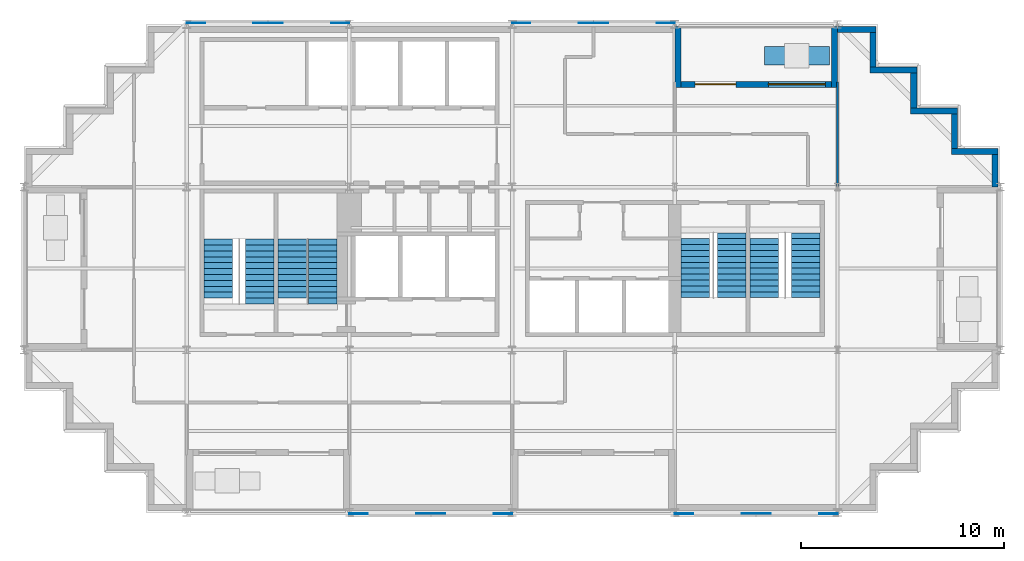
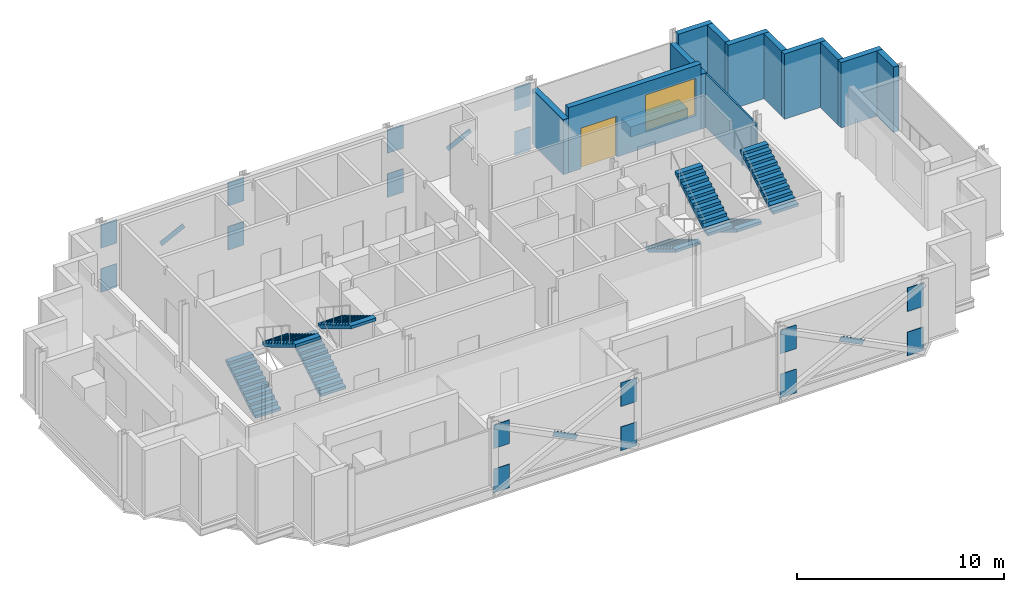
# One storey, part 7 of 9: 20 discrete accessories, 13 walls, 8 stair flights, 1 door, 1 window, 2 openings, 4 elements without a shape of their own.
"""IFC4 building model written with IfcOpenShell, lengths in metres."""

import ifcopenshell
import ifcopenshell.guid

model = None  # the IFC model being written
_history = None  # IfcOwnerHistory: only IFC2X3 demands one
_inside = {}  # id of a spatial element -> (the spatial element, [elements in it])
_under = {}  # id of a project, library or spatial element -> (it, [spatial elements below it])
_declared = {}  # id of a project -> (the project, [libraries it declares])
_typed = {}  # id of a type object -> (the type object, [elements of that type])
_made_of = {}  # id of a material, layer set ... -> (it, [elements and type objects made of it])


def new_model(schema):
    """Start an empty IFC model of exactly this schema.

    Asked for "IFC4X3", IfcOpenShell would pick the latest addendum, in which some entities
    have other attributes; the version numbers below select the first issue.
    IFC2X3 requires an IfcOwnerHistory on every rooted entity: one is made here for all.
    """
    global model, _history
    if schema == "IFC4X3":
        model = ifcopenshell.file(schema_version=(4, 3, 0, 0))
    else:
        model = ifcopenshell.file(schema=schema)
    _inside.clear()
    _under.clear()
    _declared.clear()
    _typed.clear()
    _made_of.clear()
    _history = None
    if model.schema == "IFC2X3":
        org = make("IfcOrganization", Name="unknown")
        user = make(
            "IfcPersonAndOrganization",
            ThePerson=make("IfcPerson", FamilyName="unknown"),
            TheOrganization=org,
        )
        app = make(
            "IfcApplication",
            ApplicationDeveloper=org,
            Version="unknown",
            ApplicationFullName="unknown",
            ApplicationIdentifier="unknown",
        )
        _history = make(
            "IfcOwnerHistory",
            OwningUser=user,
            OwningApplication=app,
            ChangeAction="ADDED",
            CreationDate=0,
        )
    return model


def make(cls, **values):
    """One entity of the class cls with the attributes given. An attribute that is None is left unset."""
    return model.create_entity(
        cls, **{name: value for name, value in values.items() if value is not None}
    )


def rooted(cls, **values):
    """An entity with a GlobalId (a new one), such as an element, a storey or a relation."""
    return make(cls, GlobalId=ifcopenshell.guid.new(), OwnerHistory=_history, **values)


def si_unit(unit_type, name, prefix=None):
    """IfcSIUnit, for example si_unit("LENGTHUNIT", "METRE", prefix="MILLI")."""
    return make("IfcSIUnit", UnitType=unit_type, Prefix=prefix, Name=name)


def assignment(units):
    """IfcUnitAssignment: the units of a project."""
    return None if units is None else make("IfcUnitAssignment", Units=units)


def point(xyz):
    """IfcCartesianPoint."""
    return None if xyz is None else make("IfcCartesianPoint", Coordinates=xyz)


def direction(xyz):
    """IfcDirection."""
    return None if xyz is None else make("IfcDirection", DirectionRatios=xyz)


def frame(location, z_axis=None, x_axis=None):
    """IfcAxis2Placement3D, a coordinate frame: its origin and axes. An axis left out is left unset."""
    return make(
        "IfcAxis2Placement3D",
        Location=point(location),
        Axis=direction(z_axis),
        RefDirection=direction(x_axis),
    )


def frame_2d(location, x_axis=None):
    """IfcAxis2Placement2D, a coordinate frame in the plane: its origin and x axis."""
    return make(
        "IfcAxis2Placement2D", Location=point(location), RefDirection=direction(x_axis)
    )


def origin():
    """The frame at (0, 0, 0) with its axes left unset."""
    return frame((0.0, 0.0, 0.0))


def origin_2d():
    """The frame at (0, 0) in the plane with its x axis left unset."""
    return frame_2d((0.0, 0.0))


def place(relative_to, where):
    """IfcLocalPlacement: puts the frame where relative to a parent placement (None: the world)."""
    return make(
        "IfcLocalPlacement", PlacementRelTo=relative_to, RelativePlacement=where
    )


def context(
    kind, dimensions, precision=None, world=None, true_north=None, identifier=None
):
    """IfcGeometricRepresentationContext, for example the 3D "Model" context."""
    return make(
        "IfcGeometricRepresentationContext",
        ContextIdentifier=identifier,
        ContextType=kind,
        CoordinateSpaceDimension=dimensions,
        Precision=precision,
        WorldCoordinateSystem=world,
        TrueNorth=true_north,
    )


def subcontext(parent, identifier, kind, view, scale=None):
    """IfcGeometricRepresentationSubContext, for example "Body" below "Model"."""
    return make(
        "IfcGeometricRepresentationSubContext",
        ContextIdentifier=identifier,
        ContextType=kind,
        ParentContext=parent,
        TargetScale=scale,
        TargetView=view,
    )


def project(units=None, contexts=None):
    """IfcProject with its units and contexts."""
    return rooted(
        "IfcProject",
        Name="project",
        RepresentationContexts=contexts,
        UnitsInContext=assignment(units),
    )


def spatial(cls, under=None, at=None, **own):
    """A site, building, storey or space (cls), placed at a placement, below another one or the project."""
    s = rooted(cls, ObjectPlacement=at, **own)
    if under is not None:
        _under.setdefault(under.id(), (under, []))[1].append(s)
    return s


def polyline(points):
    """IfcPolyline through the points."""
    return make("IfcPolyline", Points=[point(p) for p in points])


def profile(cls, at=None, kind="AREA", **sizes):
    """A parametric profile (cls). Its sizes go by their IFC names, for example OverallWidth=200.0."""
    return make(cls, ProfileType=kind, Position=at, **sizes)


def rectangle(**sizes):
    """IfcRectangleProfileDef."""
    return profile("IfcRectangleProfileDef", **sizes)


def outline(outer, holes=None, kind="AREA"):
    """IfcArbitraryClosedProfileDef: a profile drawn as a closed curve; with holes, ...WithVoids."""
    if holes is None:
        return make("IfcArbitraryClosedProfileDef", ProfileType=kind, OuterCurve=outer)
    return make(
        "IfcArbitraryProfileDefWithVoids",
        ProfileType=kind,
        OuterCurve=outer,
        InnerCurves=holes,
    )


def extrude(swept, where, along, depth):
    """IfcExtrudedAreaSolid: the profile swept, set in the frame where, extruded along a direction by depth."""
    return make(
        "IfcExtrudedAreaSolid",
        SweptArea=swept,
        Position=where,
        ExtrudedDirection=direction(along),
        Depth=depth,
    )


def shape(context_of_items, identifier, shape_type, items):
    """IfcShapeRepresentation: the items that make up one representation, for example the "Body"."""
    return make(
        "IfcShapeRepresentation",
        ContextOfItems=context_of_items,
        RepresentationIdentifier=identifier,
        RepresentationType=shape_type,
        Items=items,
    )


def material(Name=None, Category=None):
    """IfcMaterial."""
    return make("IfcMaterial", Name=Name, Category=Category)


def layer(
    of_material, thickness, ventilated=None, Name=None, Category=None, Priority=None
):
    """IfcMaterialLayer: one layer of a wall or slab, of a material (None: an air gap)."""
    return make(
        "IfcMaterialLayer",
        Material=of_material,
        LayerThickness=thickness,
        IsVentilated=ventilated,
        Name=Name,
        Category=Category,
        Priority=Priority,
    )


def layer_set(layers, Name=None):
    """IfcMaterialLayerSet."""
    return make("IfcMaterialLayerSet", MaterialLayers=layers, LayerSetName=Name)


def material_profile(
    of_material, cross_section, Name=None, Category=None, Priority=None
):
    """IfcMaterialProfile: a cross section and its material."""
    return make(
        "IfcMaterialProfile",
        Name=Name,
        Material=of_material,
        Profile=cross_section,
        Priority=Priority,
        Category=Category,
    )


def profile_set(profiles, Name=None, composite=None):
    """IfcMaterialProfileSet."""
    return make(
        "IfcMaterialProfileSet",
        Name=Name,
        MaterialProfiles=profiles,
        CompositeProfile=composite,
    )


def made_of(thing, what):
    """Note that an element or type object is made of a material, layer set ...; save() writes the relation."""
    if what is not None:
        _made_of.setdefault(what.id(), (what, []))[1].append(thing)
    return thing


def type_object(cls, material=None, **own):
    """A type object (cls), such as IfcWallType, which elements share."""
    return made_of(rooted(cls, **own), material)


def element(
    cls,
    number,
    at=None,
    inside=None,
    cuts=None,
    type_object=None,
    material=None,
    context=None,
    identifier="Body",
    shape_type=None,
    held_by="IfcProductDefinitionShape",
    body=None,
    shapes=None,
    **own,
):
    """One element of the class cls, such as IfcWall. Its Tag is "e" and its number.

    at: its placement. inside: the storey or other place that contains it. cuts: it is an
    opening in that element (IfcRelVoidsElement). A single representation is given by context,
    identifier, shape_type and body (its items); several are given by shapes. held_by: the class
    of the entity that holds the representations. save() writes the other relations.
    """
    e = rooted(cls, Tag="e%d" % number, ObjectPlacement=at, **own)
    if body is not None:
        shapes = [shape(context, identifier, shape_type, body)]
    if shapes is not None:
        e.Representation = make(held_by, Representations=shapes)
    if inside is not None:
        _inside.setdefault(inside.id(), (inside, []))[1].append(e)
    if cuts is not None:
        rooted(
            "IfcRelVoidsElement", RelatingBuildingElement=cuts, RelatedOpeningElement=e
        )
    if type_object is not None:
        _typed.setdefault(type_object.id(), (type_object, []))[1].append(e)
    return made_of(e, material)


def fill(opening, filler):
    """IfcRelFillsElement: the door or window that sits in an opening."""
    return rooted(
        "IfcRelFillsElement",
        RelatingOpeningElement=opening,
        RelatedBuildingElement=filler,
    )


def aggregate(whole, parts):
    """IfcRelAggregates: a whole, such as a stair, and the parts it consists of."""
    return rooted("IfcRelAggregates", RelatingObject=whole, RelatedObjects=parts)


def save(model, path):
    """Write the relations noted so far, then the file.

    IfcRelAggregates (storeys below a building ...), IfcRelContainedInSpatialStructure (elements
    in a storey), IfcRelDefinesByType, IfcRelAssociatesMaterial and IfcRelDeclares: one each for
    every whole, place, type object, material and project.
    """
    for whole, parts in _under.values():
        aggregate(whole, parts)
    for where, things in _inside.values():
        rooted(
            "IfcRelContainedInSpatialStructure",
            RelatedElements=things,
            RelatingStructure=where,
        )
    for kind, things in _typed.values():
        rooted("IfcRelDefinesByType", RelatedObjects=things, RelatingType=kind)
    for what, things in _made_of.values():
        rooted("IfcRelAssociatesMaterial", RelatedObjects=things, RelatingMaterial=what)
    for by, libraries in _declared.values():
        rooted("IfcRelDeclares", RelatingContext=by, RelatedDefinitions=libraries)
    model.write(path)


model = new_model("IFC4")

# Units and contexts
model_context = context("Model", 3, precision=1e-05, world=origin(), true_north=direction((0.0, 1.0)))
body_context = subcontext(model_context, "Body", "Model", "MODEL_VIEW")
ifc_project = project(units=[si_unit("LENGTHUNIT", "METRE"), si_unit("AREAUNIT", "SQUARE_METRE"), si_unit("VOLUMEUNIT", "CUBIC_METRE"), si_unit("PLANEANGLEUNIT", "RADIAN"), si_unit("MASSUNIT", "GRAM", prefix="KILO")], contexts=[model_context])

# Site, building, storey
site_placement = place(None, origin())
site = spatial("IfcSite", under=ifc_project, at=site_placement, CompositionType="ELEMENT")
building_placement = place(site_placement, origin())
building = spatial("IfcBuilding", under=site, at=building_placement, Name="Immortelle Media Tower", CompositionType="ELEMENT")
storey_placement = place(building_placement, frame((0.0, 0.0, 271.0)))
storey = spatial("IfcBuildingStorey", under=building, at=storey_placement, Name="L59", CompositionType="ELEMENT", Elevation=271.0)

# Walls
ifc_material_1 = material(Name="Pale aluminium cladding panel", Category="aluminium")
ifc_layer_1 = layer(ifc_material_1, 0.030029296875)
ifc_material_2 = material(Name="Steel ASTM A653 SS Gr 50 stud frame with mineral wool", Category="steel")
ifc_layer_2 = layer(ifc_material_2, 0.257568359375)
ifc_material_3 = material(Name="Moisture-resistant gypsum board", Category="gypsum")
ifc_layer_3 = layer(ifc_material_3, 0.012451171875)
ifc_layer_set_1 = layer_set([ifc_layer_1, ifc_layer_2, ifc_layer_3], Name="Steel ASTM A653 SS Gr 50 stud frame with mineral wool")
wall_type_1 = type_object("IfcWallType", Name="Facade wall 300", PredefinedType="SOLIDWALL", material=ifc_layer_set_1)
wall_1_placement = place(storey_placement, frame((47.75, 16.0, 0.0), z_axis=(0.0, 0.0, 1.0), x_axis=(0.0, 1.0, 0.0)))
element("IfcWall", 1, at=wall_1_placement, inside=storey, type_object=wall_type_1, Name="Facade wall L59 E13", PredefinedType="SOLIDWALL", context=body_context, shape_type="SweptSolid", body=[
    extrude(rectangle(XDim=1.60009765625, YDim=0.300048828125, at=frame_2d((0.800048828125, 0.0))), origin(), (0.0, 0.0, 1.0), 3.85009765625),
])
wall_2_placement = place(storey_placement, frame((47.89990234375, 17.75, 0.0), z_axis=(0.0, 0.0, 1.0), x_axis=(-1.0, 0.0, 0.0)))
element("IfcWall", 2, at=wall_2_placement, inside=storey, type_object=wall_type_1, Name="Facade wall L59 N14", PredefinedType="SOLIDWALL", context=body_context, shape_type="SweptSolid", body=[
    extrude(rectangle(XDim=2.2998046875, YDim=0.300048828125, at=frame_2d((1.14990234375, 0.0))), origin(), (0.0, 0.0, 1.0), 3.85009765625),
])
wall_3_placement = place(storey_placement, frame((45.75, 17.89990234375, 0.0), z_axis=(0.0, 0.0, 1.0), x_axis=(0.0, 1.0, 0.0)))
element("IfcWall", 3, at=wall_3_placement, inside=storey, type_object=wall_type_1, Name="Facade wall L59 E15", PredefinedType="SOLIDWALL", context=body_context, shape_type="SweptSolid", body=[
    extrude(rectangle(XDim=1.7001953125, YDim=0.300048828125, at=frame_2d((0.85009765625, 0.0))), origin(), (0.0, 0.0, 1.0), 3.85009765625),
])
wall_4_placement = place(storey_placement, frame((45.89990234375, 19.75, 0.0), z_axis=(0.0, 0.0, 1.0), x_axis=(-1.0, 0.0, 0.0)))
element("IfcWall", 4, at=wall_4_placement, inside=storey, type_object=wall_type_1, Name="Facade wall L59 N16", PredefinedType="SOLIDWALL", context=body_context, shape_type="SweptSolid", body=[
    extrude(rectangle(XDim=2.2998046875, YDim=0.300048828125, at=frame_2d((1.14990234375, 0.0))), origin(), (0.0, 0.0, 1.0), 3.85009765625),
])
wall_5_placement = place(storey_placement, frame((43.75, 19.89990234375, 0.0), z_axis=(0.0, 0.0, 1.0), x_axis=(0.0, 1.0, 0.0)))
element("IfcWall", 5, at=wall_5_placement, inside=storey, type_object=wall_type_1, Name="Facade wall L59 E17", PredefinedType="SOLIDWALL", context=body_context, shape_type="SweptSolid", body=[
    extrude(rectangle(XDim=1.7001953125, YDim=0.300048828125, at=frame_2d((0.85009765625, 0.0))), origin(), (0.0, 0.0, 1.0), 3.85009765625),
])
wall_6_placement = place(storey_placement, frame((43.89990234375, 21.75, 0.0), z_axis=(0.0, 0.0, 1.0), x_axis=(-1.0, 0.0, 0.0)))
element("IfcWall", 6, at=wall_6_placement, inside=storey, type_object=wall_type_1, Name="Facade wall L59 N18", PredefinedType="SOLIDWALL", context=body_context, shape_type="SweptSolid", body=[
    extrude(rectangle(XDim=2.2998046875, YDim=0.300048828125, at=frame_2d((1.14990234375, 0.0))), origin(), (0.0, 0.0, 1.0), 3.85009765625),
])
wall_7_placement = place(storey_placement, frame((41.75, 21.89990234375, 0.0), z_axis=(0.0, 0.0, 1.0), x_axis=(0.0, 1.0, 0.0)))
element("IfcWall", 7, at=wall_7_placement, inside=storey, type_object=wall_type_1, Name="Facade wall L59 E19", PredefinedType="SOLIDWALL", context=body_context, shape_type="SweptSolid", body=[
    extrude(rectangle(XDim=1.7001953125, YDim=0.300048828125, at=frame_2d((0.85009765625, 0.0))), origin(), (0.0, 0.0, 1.0), 3.85009765625),
])
wall_8_placement = place(storey_placement, frame((41.89990234375, 23.75, 0.0), z_axis=(0.0, 0.0, 1.0), x_axis=(-1.0, 0.0, 0.0)))
element("IfcWall", 8, at=wall_8_placement, inside=storey, type_object=wall_type_1, Name="Facade wall L59 N20", PredefinedType="SOLIDWALL", context=body_context, shape_type="SweptSolid", body=[
    extrude(rectangle(XDim=1.89990234375, YDim=0.300048828125, at=frame_2d((0.949951171875, 0.0))), origin(), (0.0, 0.0, 1.0), 3.85009765625),
])

# Wall, openings, door, window
wall_9_placement = place(storey_placement, frame((39.699951171875, 21.050048828125, 0.0), z_axis=(0.0, 0.0, 1.0), x_axis=(-1.0, 0.0, 0.0)))
wall_9 = element("IfcWall", 9, at=wall_9_placement, inside=storey, type_object=wall_type_1, Name="Loggia wall L59 N20", PredefinedType="SOLIDWALL", context=body_context, shape_type="SweptSolid", body=[
    extrude(rectangle(XDim=7.39990234375, YDim=0.300048828125, at=frame_2d((3.699951171875, 0.0))), origin(), (0.0, 0.0, 1.0), 3.85009765625),
])
opening_1_placement = place(wall_9_placement, frame((0.300048828125, 0.0, 0.89990234375)))
opening_1 = element("IfcOpeningElement", 10, at=opening_1_placement, cuts=wall_9, Name="Opening W1", PredefinedType="OPENING", context=body_context, shape_type="SweptSolid", body=[
    extrude(rectangle(XDim=2.800048828125, YDim=2.199951171875, at=frame_2d((1.39990234375, 1.10009765625))), frame((0.0, 0.159912109375, 0.0), z_axis=(0.0, -1.0, 0.0), x_axis=(1.0, 0.0, 0.0)), (0.0, 0.0, 1.0), 0.320068359375),
])
opening_2_placement = place(wall_9_placement, frame((4.699951171875, 0.0, 0.0)))
opening_2 = element("IfcOpeningElement", 11, at=opening_2_placement, cuts=wall_9, Name="Opening X3-E004", PredefinedType="OPENING", context=body_context, shape_type="SweptSolid", body=[
    extrude(rectangle(XDim=2.0, YDim=2.39990234375, at=frame_2d((1.0, 1.199951171875))), frame((0.0, 0.159912109375, 0.0), z_axis=(0.0, -1.0, 0.0), x_axis=(1.0, 0.0, 0.0)), (0.0, 0.0, 1.0), 0.320068359375),
])
ifc_material_4 = material(Name="Aluminium frame, glazed leaves", Category="aluminium")
door_type = type_object("IfcDoorType", Name="Loggia door 2000 x 2400", OperationType="DOUBLE_DOOR_SINGLE_SWING", PredefinedType="DOOR", material=ifc_material_4)
door_placement = place(opening_2_placement, origin())
door = element("IfcDoor", 12, at=door_placement, inside=storey, type_object=door_type, Name="Door X3-E004", OperationType="DOUBLE_DOOR_SINGLE_SWING", OverallHeight=2.39990234375, OverallWidth=2.0, PredefinedType="DOOR", context=body_context, shape_type="SweptSolid", body=[
    extrude(rectangle(XDim=2.0, YDim=2.39990234375, at=frame_2d((1.0, 1.199951171875))), frame((0.0, 0.02490234375, 0.0), z_axis=(0.0, -1.0, 0.0), x_axis=(1.0, 0.0, 0.0)), (0.0, 0.0, 1.0), 0.050048828125),
])
fill(opening_2, door)
ifc_material_5 = material(Name="Aluminium frame", Category="aluminium")
window_type = type_object("IfcWindowType", Name="Window 2800 x 2200", PartitioningType="SINGLE_PANEL", PredefinedType="WINDOW", material=ifc_material_5)
window_placement = place(opening_1_placement, origin())
window = element("IfcWindow", 13, at=window_placement, inside=storey, type_object=window_type, Name="Window L59 L59-R20-B0", OverallHeight=2.199951171875, OverallWidth=2.800048828125, PartitioningType="SINGLE_PANEL", PredefinedType="WINDOW", context=body_context, shape_type="SweptSolid", body=[
    extrude(rectangle(XDim=2.800048828125, YDim=2.199951171875, at=frame_2d((1.39990234375, 1.10009765625))), frame((0.0, 0.030029296875, 0.0), z_axis=(0.0, -1.0, 0.0), x_axis=(1.0, 0.0, 0.0)), (0.0, 0.0, 1.0), 0.06005859375),
])
fill(opening_1, window)

# Walls
wall_10_placement = place(storey_placement, frame((39.85009765625, 23.89990234375, 0.0), z_axis=(0.0, 0.0, 1.0), x_axis=(0.0, -1.0, 0.0)))
element("IfcWall", 14, at=wall_10_placement, inside=storey, type_object=wall_type_1, Name="Loggia cheek wall L59 N", PredefinedType="SOLIDWALL", context=body_context, shape_type="SweptSolid", body=[
    extrude(rectangle(XDim=3.0, YDim=0.300048828125, at=frame_2d((1.5, 0.0))), origin(), (0.0, 0.0, 1.0), 3.237060546875),
])
wall_11_placement = place(storey_placement, frame((32.14990234375, 23.89990234375, 0.0), z_axis=(0.0, 0.0, 1.0), x_axis=(0.0, -1.0, 0.0)))
element("IfcWall", 15, at=wall_11_placement, inside=storey, type_object=wall_type_1, Name="Loggia cheek wall L59 N", PredefinedType="SOLIDWALL", context=body_context, shape_type="SweptSolid", body=[
    extrude(rectangle(XDim=3.0, YDim=0.300048828125, at=frame_2d((1.5, 0.0))), origin(), (0.0, 0.0, 1.0), 3.2470703125),
])
ifc_material_6 = material(Name="Gypsum board", Category="gypsum")
ifc_layer_4 = layer(ifc_material_6, 0.012451171875)
ifc_layer_5 = layer(ifc_material_2, 0.074951171875)
ifc_layer_6 = layer(ifc_material_6, 0.012451171875)
ifc_layer_set_2 = layer_set([ifc_layer_4, ifc_layer_5, ifc_layer_6], Name="Steel ASTM A653 SS Gr 50 stud frame with mineral wool")
wall_type_2 = type_object("IfcWallType", Name="Partition 100", PredefinedType="PARTITIONING", material=ifc_layer_set_2)
wall_12_placement = place(storey_placement, frame((40.0, 16.030029296875, 0.0), z_axis=(0.0, 0.0, 1.0), x_axis=(0.0, 1.0, 0.0)))
element("IfcWall", 16, at=wall_12_placement, inside=storey, type_object=wall_type_2, Name="Partition L59-010", PredefinedType="PARTITIONING", context=body_context, shape_type="SweptSolid", body=[
    extrude(rectangle(XDim=5.139892578125, YDim=0.10009765625, at=frame_2d((2.56982421875, 0.0))), origin(), (0.0, 0.0, 1.0), 3.172119140625),
])
ifc_layer_7 = layer(ifc_material_1, 0.0029296875)
ifc_material_7 = material(Name="Steel ASTM A572 Gr 50 planter shell", Category="steel")
ifc_layer_8 = layer(ifc_material_7, 0.011962890625)
ifc_material_8 = material(Name="Planting substrate", Category="soil")
ifc_layer_9 = layer(ifc_material_8, 0.873046875)
ifc_layer_10 = layer(ifc_material_7, 0.011962890625)
ifc_layer_set_3 = layer_set([ifc_layer_7, ifc_layer_8, ifc_layer_9, ifc_layer_10], Name="Steel ASTM A572 Gr 50 planter shell")
wall_type_3 = type_object("IfcWallType", Name="Planter wall 900", PredefinedType="SOLIDWALL", material=ifc_layer_set_3)
wall_13_placement = place(storey_placement, frame((39.60009765625, 22.449951171875, 0.0), z_axis=(0.0, 0.0, 1.0), x_axis=(-1.0, 0.0, 0.0)))
element("IfcWall", 17, at=wall_13_placement, inside=storey, type_object=wall_type_3, Name="Planter L59 N0", PredefinedType="SOLIDWALL", context=body_context, shape_type="SweptSolid", body=[
    extrude(rectangle(XDim=3.2001953125, YDim=0.89990234375, at=frame_2d((1.60009765625, 0.0))), origin(), (0.0, 0.0, 1.0), 0.60009765625),
])

# Stair, stair flights
ifc_material_9 = material(Name="Steel ASTM A992 Gr 50", Category="steel")
stair_type = type_object("IfcStairType", Name="Stair with flights", PredefinedType="DOUBLE_RETURN_STAIR", material=ifc_material_9)
stair_1_placement = place(storey_placement, origin())
stair_1 = element("IfcStair", 18, at=stair_1_placement, inside=storey, type_object=stair_type, Name="Exit stair SW1", PredefinedType="DOUBLE_RETURN_STAIR")
stair_flight_type = type_object("IfcStairFlightType", Name="Stair flight 1400", PredefinedType="STRAIGHT", material=ifc_material_9)
stair_flight_1_placement = place(storey_placement, frame((9.550048828125, 10.5400390625, 0.0), z_axis=(0.0, 0.0, 1.0), x_axis=(0.0, 1.0, 0.0)))
stair_flight_1 = element("IfcStairFlight", 19, at=stair_flight_1_placement, type_object=stair_flight_type, Name="ST SW1 flight 1", NumberOfRisers=11, NumberOfTreads=10, PredefinedType="STRAIGHT", RiserHeight=0.173913043, TreadLength=0.29, context=body_context, shape_type="SweptSolid", body=[
    extrude(outline(polyline([(0.0, 0.0), (0.0, 0.173828125), (0.2900390625, 0.173828125), (0.2900390625, 0.347900390625), (0.580078125, 0.347900390625), (0.580078125, 0.521728515625), (0.8701171875, 0.521728515625), (0.8701171875, 0.695556640625), (1.159912109375, 0.695556640625), (1.159912109375, 0.86962890625), (1.449951171875, 0.86962890625), (1.449951171875, 1.04345703125), (1.739990234375, 1.04345703125), (1.739990234375, 1.21728515625), (2.030029296875, 1.21728515625), (2.030029296875, 1.391357421875), (2.320068359375, 1.391357421875), (2.320068359375, 1.565185546875), (2.610107421875, 1.565185546875), (2.610107421875, 1.739013671875), (2.89990234375, 1.739013671875), (2.89990234375, 1.9130859375), (2.89990234375, 1.564453125), (0.29150390625, 0.0), (0.0, 0.0)])), frame((0.0, 0.699951171875, 0.0), z_axis=(0.0, -1.0, 0.0), x_axis=(1.0, 0.0, 0.0)), (0.0, 0.0, 1.0), 1.39990234375),
])
stair_flight_2_placement = place(storey_placement, frame((11.60009765625, 13.43994140625, 1.9130859375), z_axis=(0.0, 0.0, 1.0), x_axis=(0.0, -1.0, 0.0)))
stair_flight_2 = element("IfcStairFlight", 20, at=stair_flight_2_placement, type_object=stair_flight_type, Name="ST SW1 flight 2", NumberOfRisers=12, NumberOfTreads=11, PredefinedType="STRAIGHT", RiserHeight=0.173913043, TreadLength=0.29, context=body_context, shape_type="SweptSolid", body=[
    extrude(outline(polyline([(0.0, 0.0), (0.0, 0.173828125), (0.2900390625, 0.173828125), (0.2900390625, 0.347900390625), (0.580078125, 0.347900390625), (0.580078125, 0.521728515625), (0.8701171875, 0.521728515625), (0.8701171875, 0.695556640625), (1.159912109375, 0.695556640625), (1.159912109375, 0.86962890625), (1.449951171875, 0.86962890625), (1.449951171875, 1.04345703125), (1.739990234375, 1.04345703125), (1.739990234375, 1.21728515625), (2.030029296875, 1.21728515625), (2.030029296875, 1.391357421875), (2.320068359375, 1.391357421875), (2.320068359375, 1.565185546875), (2.610107421875, 1.565185546875), (2.610107421875, 1.739013671875), (2.89990234375, 1.739013671875), (2.89990234375, 1.9130859375), (3.18994140625, 1.9130859375), (3.18994140625, 2.0869140625), (3.18994140625, 1.73828125), (0.29150390625, 0.0), (0.0, 0.0)])), frame((0.0, 0.699951171875, 0.0), z_axis=(0.0, -1.0, 0.0), x_axis=(1.0, 0.0, 0.0)), (0.0, 0.0, 1.0), 1.39990234375),
])
aggregate(stair_1, [stair_flight_1, stair_flight_2])

stair_2_placement = place(storey_placement, origin())
stair_2 = element("IfcStair", 21, at=stair_2_placement, inside=storey, type_object=stair_type, Name="Exit stair SW2", PredefinedType="DOUBLE_RETURN_STAIR")
stair_flight_3_placement = place(storey_placement, frame((13.199951171875, 10.5400390625, 0.0), z_axis=(0.0, 0.0, 1.0), x_axis=(0.0, 1.0, 0.0)))
stair_flight_3 = element("IfcStairFlight", 22, at=stair_flight_3_placement, type_object=stair_flight_type, Name="ST SW2 flight 1", NumberOfRisers=11, NumberOfTreads=10, PredefinedType="STRAIGHT", RiserHeight=0.173913043, TreadLength=0.29, context=body_context, shape_type="SweptSolid", body=[
    extrude(outline(polyline([(0.0, 0.0), (0.0, 0.173828125), (0.2900390625, 0.173828125), (0.2900390625, 0.347900390625), (0.580078125, 0.347900390625), (0.580078125, 0.521728515625), (0.8701171875, 0.521728515625), (0.8701171875, 0.695556640625), (1.159912109375, 0.695556640625), (1.159912109375, 0.86962890625), (1.449951171875, 0.86962890625), (1.449951171875, 1.04345703125), (1.739990234375, 1.04345703125), (1.739990234375, 1.21728515625), (2.030029296875, 1.21728515625), (2.030029296875, 1.391357421875), (2.320068359375, 1.391357421875), (2.320068359375, 1.565185546875), (2.610107421875, 1.565185546875), (2.610107421875, 1.739013671875), (2.89990234375, 1.739013671875), (2.89990234375, 1.9130859375), (2.89990234375, 1.564453125), (0.29150390625, 0.0), (0.0, 0.0)])), frame((0.0, 0.699951171875, 0.0), z_axis=(0.0, -1.0, 0.0), x_axis=(1.0, 0.0, 0.0)), (0.0, 0.0, 1.0), 1.39990234375),
])
stair_flight_4_placement = place(storey_placement, frame((14.699951171875, 13.43994140625, 1.9130859375), z_axis=(0.0, 0.0, 1.0), x_axis=(0.0, -1.0, 0.0)))
stair_flight_4 = element("IfcStairFlight", 23, at=stair_flight_4_placement, type_object=stair_flight_type, Name="ST SW2 flight 2", NumberOfRisers=12, NumberOfTreads=11, PredefinedType="STRAIGHT", RiserHeight=0.173913043, TreadLength=0.29, context=body_context, shape_type="SweptSolid", body=[
    extrude(outline(polyline([(0.0, 0.0), (0.0, 0.173828125), (0.2900390625, 0.173828125), (0.2900390625, 0.347900390625), (0.580078125, 0.347900390625), (0.580078125, 0.521728515625), (0.8701171875, 0.521728515625), (0.8701171875, 0.695556640625), (1.159912109375, 0.695556640625), (1.159912109375, 0.86962890625), (1.449951171875, 0.86962890625), (1.449951171875, 1.04345703125), (1.739990234375, 1.04345703125), (1.739990234375, 1.21728515625), (2.030029296875, 1.21728515625), (2.030029296875, 1.391357421875), (2.320068359375, 1.391357421875), (2.320068359375, 1.565185546875), (2.610107421875, 1.565185546875), (2.610107421875, 1.739013671875), (2.89990234375, 1.739013671875), (2.89990234375, 1.9130859375), (3.18994140625, 1.9130859375), (3.18994140625, 2.0869140625), (3.18994140625, 1.73828125), (0.29150390625, 0.0), (0.0, 0.0)])), frame((0.0, 0.699951171875, 0.0), z_axis=(0.0, -1.0, 0.0), x_axis=(1.0, 0.0, 0.0)), (0.0, 0.0, 1.0), 1.39990234375),
])
aggregate(stair_2, [stair_flight_3, stair_flight_4])

stair_3_placement = place(storey_placement, origin())
stair_3 = element("IfcStair", 24, at=stair_3_placement, inside=storey, type_object=stair_type, Name="Exit stair SE1", PredefinedType="DOUBLE_RETURN_STAIR")
stair_flight_5_placement = place(storey_placement, frame((33.0, 13.4599609375, 0.0), z_axis=(0.0, 0.0, 1.0), x_axis=(0.0, -1.0, 0.0)))
stair_flight_5 = element("IfcStairFlight", 25, at=stair_flight_5_placement, type_object=stair_flight_type, Name="ST SE1 flight 1", NumberOfRisers=11, NumberOfTreads=10, PredefinedType="STRAIGHT", RiserHeight=0.173913043, TreadLength=0.29, context=body_context, shape_type="SweptSolid", body=[
    extrude(outline(polyline([(0.0, 0.0), (0.0, 0.173828125), (0.2900390625, 0.173828125), (0.2900390625, 0.347900390625), (0.580078125, 0.347900390625), (0.580078125, 0.521728515625), (0.8701171875, 0.521728515625), (0.8701171875, 0.695556640625), (1.159912109375, 0.695556640625), (1.159912109375, 0.86962890625), (1.449951171875, 0.86962890625), (1.449951171875, 1.04345703125), (1.739990234375, 1.04345703125), (1.739990234375, 1.21728515625), (2.030029296875, 1.21728515625), (2.030029296875, 1.391357421875), (2.320068359375, 1.391357421875), (2.320068359375, 1.565185546875), (2.610107421875, 1.565185546875), (2.610107421875, 1.739013671875), (2.89990234375, 1.739013671875), (2.89990234375, 1.9130859375), (2.89990234375, 1.564453125), (0.29150390625, 0.0), (0.0, 0.0)])), frame((0.0, 0.699951171875, 0.0), z_axis=(0.0, -1.0, 0.0), x_axis=(1.0, 0.0, 0.0)), (0.0, 0.0, 1.0), 1.39990234375),
])
stair_flight_6_placement = place(storey_placement, frame((34.800048828125, 10.56005859375, 1.9130859375), z_axis=(0.0, 0.0, 1.0), x_axis=(0.0, 1.0, 0.0)))
stair_flight_6 = element("IfcStairFlight", 26, at=stair_flight_6_placement, type_object=stair_flight_type, Name="ST SE1 flight 2", NumberOfRisers=12, NumberOfTreads=11, PredefinedType="STRAIGHT", RiserHeight=0.173913043, TreadLength=0.29, context=body_context, shape_type="SweptSolid", body=[
    extrude(outline(polyline([(0.0, 0.0), (0.0, 0.173828125), (0.2900390625, 0.173828125), (0.2900390625, 0.347900390625), (0.580078125, 0.347900390625), (0.580078125, 0.521728515625), (0.8701171875, 0.521728515625), (0.8701171875, 0.695556640625), (1.159912109375, 0.695556640625), (1.159912109375, 0.86962890625), (1.449951171875, 0.86962890625), (1.449951171875, 1.04345703125), (1.739990234375, 1.04345703125), (1.739990234375, 1.21728515625), (2.030029296875, 1.21728515625), (2.030029296875, 1.391357421875), (2.320068359375, 1.391357421875), (2.320068359375, 1.565185546875), (2.610107421875, 1.565185546875), (2.610107421875, 1.739013671875), (2.89990234375, 1.739013671875), (2.89990234375, 1.9130859375), (3.18994140625, 1.9130859375), (3.18994140625, 2.0869140625), (3.18994140625, 1.73828125), (0.29150390625, 0.0), (0.0, 0.0)])), frame((0.0, 0.699951171875, 0.0), z_axis=(0.0, -1.0, 0.0), x_axis=(1.0, 0.0, 0.0)), (0.0, 0.0, 1.0), 1.39990234375),
])
aggregate(stair_3, [stair_flight_5, stair_flight_6])

stair_4_placement = place(storey_placement, origin())
stair_4 = element("IfcStair", 27, at=stair_4_placement, inside=storey, type_object=stair_type, Name="Exit stair SE2", PredefinedType="DOUBLE_RETURN_STAIR")
stair_flight_7_placement = place(storey_placement, frame((36.39990234375, 13.4599609375, 0.0), z_axis=(0.0, 0.0, 1.0), x_axis=(0.0, -1.0, 0.0)))
stair_flight_7 = element("IfcStairFlight", 28, at=stair_flight_7_placement, type_object=stair_flight_type, Name="ST SE2 flight 1", NumberOfRisers=11, NumberOfTreads=10, PredefinedType="STRAIGHT", RiserHeight=0.173913043, TreadLength=0.29, context=body_context, shape_type="SweptSolid", body=[
    extrude(outline(polyline([(0.0, 0.0), (0.0, 0.173828125), (0.2900390625, 0.173828125), (0.2900390625, 0.347900390625), (0.580078125, 0.347900390625), (0.580078125, 0.521728515625), (0.8701171875, 0.521728515625), (0.8701171875, 0.695556640625), (1.159912109375, 0.695556640625), (1.159912109375, 0.86962890625), (1.449951171875, 0.86962890625), (1.449951171875, 1.04345703125), (1.739990234375, 1.04345703125), (1.739990234375, 1.21728515625), (2.030029296875, 1.21728515625), (2.030029296875, 1.391357421875), (2.320068359375, 1.391357421875), (2.320068359375, 1.565185546875), (2.610107421875, 1.565185546875), (2.610107421875, 1.739013671875), (2.89990234375, 1.739013671875), (2.89990234375, 1.9130859375), (2.89990234375, 1.564453125), (0.29150390625, 0.0), (0.0, 0.0)])), frame((0.0, 0.699951171875, 0.0), z_axis=(0.0, -1.0, 0.0), x_axis=(1.0, 0.0, 0.0)), (0.0, 0.0, 1.0), 1.39990234375),
])
stair_flight_8_placement = place(storey_placement, frame((38.449951171875, 10.56005859375, 1.9130859375), z_axis=(0.0, 0.0, 1.0), x_axis=(0.0, 1.0, 0.0)))
stair_flight_8 = element("IfcStairFlight", 29, at=stair_flight_8_placement, type_object=stair_flight_type, Name="ST SE2 flight 2", NumberOfRisers=12, NumberOfTreads=11, PredefinedType="STRAIGHT", RiserHeight=0.173913043, TreadLength=0.29, context=body_context, shape_type="SweptSolid", body=[
    extrude(outline(polyline([(0.0, 0.0), (0.0, 0.173828125), (0.2900390625, 0.173828125), (0.2900390625, 0.347900390625), (0.580078125, 0.347900390625), (0.580078125, 0.521728515625), (0.8701171875, 0.521728515625), (0.8701171875, 0.695556640625), (1.159912109375, 0.695556640625), (1.159912109375, 0.86962890625), (1.449951171875, 0.86962890625), (1.449951171875, 1.04345703125), (1.739990234375, 1.04345703125), (1.739990234375, 1.21728515625), (2.030029296875, 1.21728515625), (2.030029296875, 1.391357421875), (2.320068359375, 1.391357421875), (2.320068359375, 1.565185546875), (2.610107421875, 1.565185546875), (2.610107421875, 1.739013671875), (2.89990234375, 1.739013671875), (2.89990234375, 1.9130859375), (3.18994140625, 1.9130859375), (3.18994140625, 2.0869140625), (3.18994140625, 1.73828125), (0.29150390625, 0.0), (0.0, 0.0)])), frame((0.0, 0.699951171875, 0.0), z_axis=(0.0, -1.0, 0.0), x_axis=(1.0, 0.0, 0.0)), (0.0, 0.0, 1.0), 1.39990234375),
])
aggregate(stair_4, [stair_flight_7, stair_flight_8])

# Discrete accessories
ifc_material_10 = material(Name="Steel ASTM A572 Gr 50", Category="steel")
ifc_material_profile_1 = material_profile(ifc_material_10, rectangle(XDim=0.02392578125, YDim=0.304931640625, at=origin_2d()), Name="PL 24 x 305")
ifc_profile_set_1 = profile_set([ifc_material_profile_1], Name="Steel ASTM A572 Gr 50")
discrete_accessory_type_1 = type_object("IfcDiscreteAccessoryType", Name="Crossing plate XP-BR6 1450 x 305 x 24", PredefinedType="USERDEFINED", material=ifc_profile_set_1)
for number, where, z_axis, x_axis, name in (
    (30, (28.648193359375, 24.0625, 1.87109375), (-0.894157602663, 0.0, -0.447752366381), (0.0, -1.0, 0.0), "Crossing plate XP-BR6 of Brace D/4-5 A and Brace D/4-5 B"),
    (31, (12.648193359375, 24.0625, 1.87109375), (-0.894157602663, 0.0, -0.447752366381), (0.0, -1.0, 0.0), "Crossing plate XP-BR6 of Brace D/2-3 A and Brace D/2-3 B"),
    (32, (19.351806640625, -0.0625, 1.87109375), (0.894157602663, 0.0, -0.447752366381), (0.0, 1.0, 0.0), "Crossing plate XP-BR6 of Brace A/3-4 A and Brace A/3-4 B"),
    (33, (35.351806640625, -0.0625, 1.87109375), (0.894157602663, 0.0, -0.447752366381), (0.0, 1.0, 0.0), "Crossing plate XP-BR6 of Brace A/5-6 A and Brace A/5-6 B"),
):
    element("IfcDiscreteAccessory", number, at=place(storey_placement, frame(where, z_axis=z_axis, x_axis=x_axis)), inside=storey, type_object=discrete_accessory_type_1, Name=name, ObjectType="CROSSING PLATE", PredefinedType="USERDEFINED", context=body_context, shape_type="SweptSolid", body=[
        extrude(rectangle(XDim=0.02392578125, YDim=0.304931640625, at=origin_2d()), origin(), (0.0, 0.0, 1.0), 1.449951171875),
    ])
ifc_material_profile_2 = material_profile(ifc_material_10, rectangle(XDim=0.031982421875, YDim=1.39990234375, at=origin_2d()), Name="PL 32 x 1400")
ifc_profile_set_2 = profile_set([ifc_material_profile_2], Name="Steel ASTM A572 Gr 50")
discrete_accessory_type_2 = type_object("IfcDiscreteAccessoryType", Name="Gusset plate GP1 900 x 1400 x 32", PredefinedType="USERDEFINED", material=ifc_profile_set_2)
for number, where, z_axis, x_axis, name in (
    (34, (16.0, -0.0625, 0.243896484375), (1.0, 0.0, 0.0), (0.0, 1.0, 0.0), "Gusset plate GP1, lower end of Brace A/3-4 A"),
    (35, (24.0, -0.0625, 2.84912109375), (-1.0, 0.0, 0.0), (0.0, -1.0, 0.0), "Gusset plate GP1, upper end of Brace A/3-4 A"),
    (36, (24.0, -0.0625, 0.243896484375), (-1.0, 0.0, 0.0), (0.0, -1.0, 0.0), "Gusset plate GP1, lower end of Brace A/3-4 B"),
    (37, (16.0, -0.0625, 2.84912109375), (1.0, 0.0, 0.0), (0.0, 1.0, 0.0), "Gusset plate GP1, upper end of Brace A/3-4 B"),
    (38, (32.0, -0.0625, 0.243896484375), (1.0, 0.0, 0.0), (0.0, 1.0, 0.0), "Gusset plate GP1, lower end of Brace A/5-6 A"),
    (39, (40.0, -0.0625, 2.84912109375), (-1.0, 0.0, 0.0), (0.0, -1.0, 0.0), "Gusset plate GP1, upper end of Brace A/5-6 A"),
    (40, (40.0, -0.0625, 0.243896484375), (-1.0, 0.0, 0.0), (0.0, -1.0, 0.0), "Gusset plate GP1, lower end of Brace A/5-6 B"),
    (41, (32.0, -0.0625, 2.84912109375), (1.0, 0.0, 0.0), (0.0, 1.0, 0.0), "Gusset plate GP1, upper end of Brace A/5-6 B"),
    (42, (32.0, 24.0625, 0.243896484375), (-1.0, 0.0, 0.0), (0.0, -1.0, 0.0), "Gusset plate GP1, lower end of Brace D/4-5 A"),
    (43, (24.0, 24.0625, 2.84912109375), (1.0, 0.0, 0.0), (0.0, 1.0, 0.0), "Gusset plate GP1, upper end of Brace D/4-5 A"),
    (44, (24.0, 24.0625, 0.243896484375), (1.0, 0.0, 0.0), (0.0, 1.0, 0.0), "Gusset plate GP1, lower end of Brace D/4-5 B"),
    (45, (32.0, 24.0625, 2.84912109375), (-1.0, 0.0, 0.0), (0.0, -1.0, 0.0), "Gusset plate GP1, upper end of Brace D/4-5 B"),
    (46, (16.0, 24.0625, 0.243896484375), (-1.0, 0.0, 0.0), (0.0, -1.0, 0.0), "Gusset plate GP1, lower end of Brace D/2-3 A"),
    (47, (8.0, 24.0625, 2.84912109375), (1.0, 0.0, 0.0), (0.0, 1.0, 0.0), "Gusset plate GP1, upper end of Brace D/2-3 A"),
    (48, (8.0, 24.0625, 0.243896484375), (1.0, 0.0, 0.0), (0.0, 1.0, 0.0), "Gusset plate GP1, lower end of Brace D/2-3 B"),
    (49, (16.0, 24.0625, 2.84912109375), (-1.0, 0.0, 0.0), (0.0, -1.0, 0.0), "Gusset plate GP1, upper end of Brace D/2-3 B"),
):
    element("IfcDiscreteAccessory", number, at=place(storey_placement, frame(where, z_axis=z_axis, x_axis=x_axis)), inside=storey, type_object=discrete_accessory_type_2, Name=name, ObjectType="GUSSET PLATE", PredefinedType="USERDEFINED", context=body_context, shape_type="SweptSolid", body=[
        extrude(rectangle(XDim=0.031982421875, YDim=1.39990234375, at=origin_2d()), origin(), (0.0, 0.0, 1.0), 0.89990234375),
    ])

save(model, "model.ifc")
